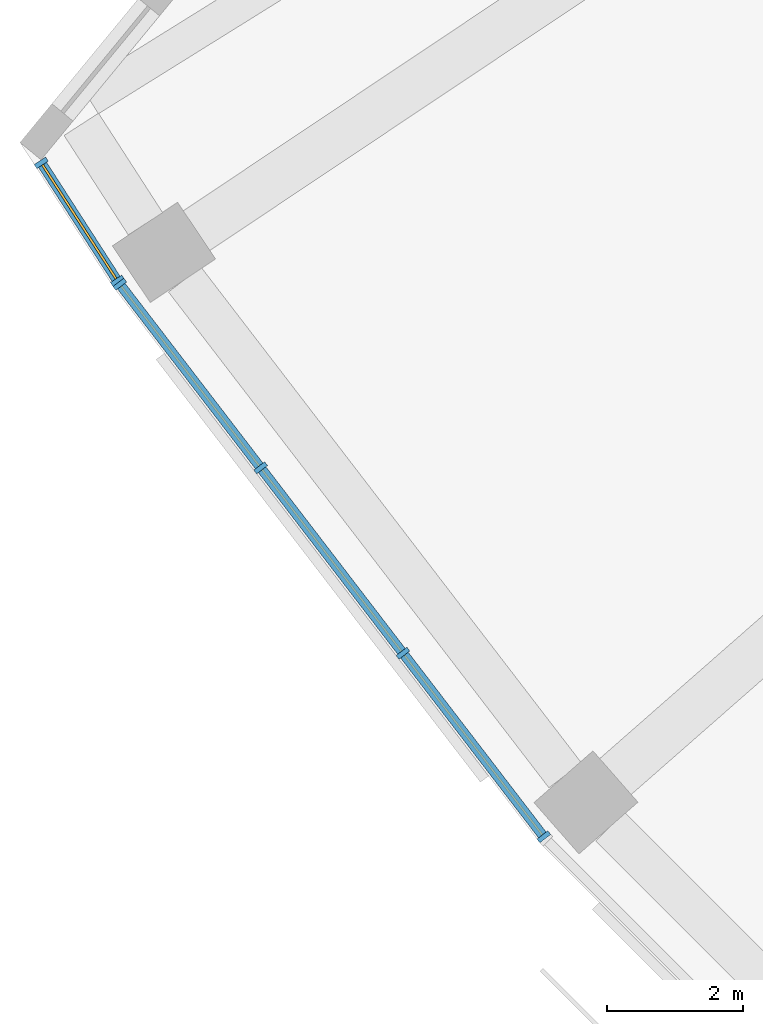
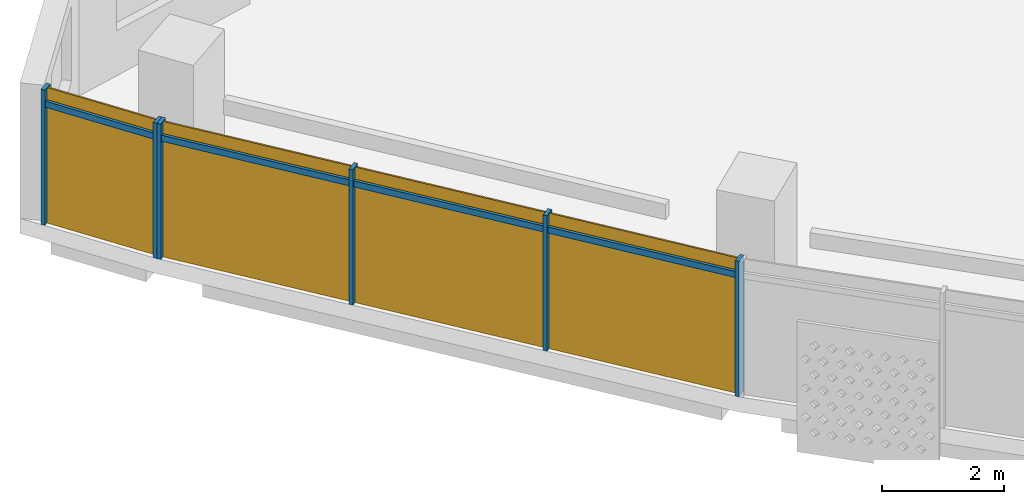
# One storey, part 19 of 27: 10 members, 2 curtain walls.
"""IFC4 building model written with IfcOpenShell, lengths in metres."""

from ifc_helpers import new_model, si_unit, direction, frame, origin, origin_2d, place, context, subcontext, project, spatial, rectangle, extrude, material, material_profile, profile_set, type_object, element, aggregate, save


model = new_model("IFC4")

# Units and contexts
model_context = context("Model", 3, precision=1e-05, world=origin(), true_north=direction((0.0, 1.0)))
body_context = subcontext(model_context, "Body", "Model", "MODEL_VIEW")
ifc_project = project(units=[si_unit("LENGTHUNIT", "METRE"), si_unit("AREAUNIT", "SQUARE_METRE"), si_unit("VOLUMEUNIT", "CUBIC_METRE"), si_unit("PLANEANGLEUNIT", "RADIAN"), si_unit("MASSUNIT", "GRAM", prefix="KILO")], contexts=[model_context])

# Member
ifc_material = material(Name="Aluminium 6063-T6 anodised", Category="aluminium")
ifc_material_profile_1 = material_profile(ifc_material, rectangle(XDim=0.199951171875, YDim=0.070068359375, at=origin_2d()))
ifc_profile_set_1 = profile_set([ifc_material_profile_1], Name="Aluminium 6063-T6 anodised")
member_type_1 = type_object("IfcMemberType", Name="Mullion 70 x 200 aluminium", PredefinedType="MULLION", material=ifc_profile_set_1)
site_placement = place(None, origin())
building_placement = place(site_placement, origin())
storey_placement = place(building_placement, frame((0.0, 0.0, 222.699951171875)))
member_1_placement = place(storey_placement, frame((-66.44677734375, -41.88134765625, 0.0), z_axis=(0.0, 0.0, 1.0), x_axis=(0.840244709552, 0.5422073663, 0.0)))
member_1 = element("IfcMember", 1, at=member_1_placement, type_object=member_type_1, Name="e-cw1-L53-out00/M00", PredefinedType="MULLION", context=body_context, shape_type="SweptSolid", body=[
    extrude(rectangle(XDim=0.199951171875, YDim=0.070068359375, at=origin_2d()), origin(), (0.0, 0.0, 1.0), 2.699951171875),
])

member_2_placement = place(storey_placement, frame((-65.330078125, -43.612060546875, 0.0), z_axis=(0.0, 0.0, 1.0), x_axis=(0.840244709552, 0.5422073663, 0.0)))
member_2 = element("IfcMember", 2, at=member_2_placement, type_object=member_type_1, Name="e-cw1-L53-out00/M01", PredefinedType="MULLION", context=body_context, shape_type="SweptSolid", body=[
    extrude(rectangle(XDim=0.199951171875, YDim=0.070068359375, at=origin_2d()), origin(), (0.0, 0.0, 1.0), 2.699951171875),
])

member_3_placement = place(storey_placement, frame((-65.29443359375, -43.66259765625, 0.0), z_axis=(0.0, 0.0, 1.0), x_axis=(0.793353340291, 0.608761429009, 0.0)))
member_3 = element("IfcMember", 3, at=member_3_placement, type_object=member_type_1, Name="e-cw1-L53-out01/M00", PredefinedType="MULLION", context=body_context, shape_type="SweptSolid", body=[
    extrude(rectangle(XDim=0.199951171875, YDim=0.070068359375, at=origin_2d()), origin(), (0.0, 0.0, 1.0), 2.699951171875),
])

member_4_placement = place(storey_placement, frame((-63.22802734375, -46.35546875, 0.0), z_axis=(0.0, 0.0, 1.0), x_axis=(0.793353340291, 0.608761429009, 0.0)))
member_4 = element("IfcMember", 4, at=member_4_placement, type_object=member_type_1, Name="e-cw1-L53-out01/M01", PredefinedType="MULLION", context=body_context, shape_type="SweptSolid", body=[
    extrude(rectangle(XDim=0.199951171875, YDim=0.070068359375, at=origin_2d()), origin(), (0.0, 0.0, 1.0), 2.699951171875),
])

member_5_placement = place(storey_placement, frame((-61.140380859375, -49.075927734375, 0.0), z_axis=(0.0, 0.0, 1.0), x_axis=(0.793353340291, 0.608761429009, 0.0)))
member_5 = element("IfcMember", 5, at=member_5_placement, type_object=member_type_1, Name="e-cw1-L53-out01/M02", PredefinedType="MULLION", context=body_context, shape_type="SweptSolid", body=[
    extrude(rectangle(XDim=0.199951171875, YDim=0.070068359375, at=origin_2d()), origin(), (0.0, 0.0, 1.0), 2.699951171875),
])

member_6_placement = place(storey_placement, frame((-59.07421875, -51.768798828125, 0.0), z_axis=(0.0, 0.0, 1.0), x_axis=(0.793353340291, 0.608761429009, 0.0)))
member_6 = element("IfcMember", 6, at=member_6_placement, type_object=member_type_1, Name="e-cw1-L53-out01/M03", PredefinedType="MULLION", context=body_context, shape_type="SweptSolid", body=[
    extrude(rectangle(XDim=0.199951171875, YDim=0.070068359375, at=origin_2d()), origin(), (0.0, 0.0, 1.0), 2.699951171875),
])

ifc_material_profile_2 = material_profile(ifc_material, rectangle(XDim=0.139892578125, YDim=0.1201171875, at=origin_2d()))
ifc_profile_set_2 = profile_set([ifc_material_profile_2], Name="Aluminium 6063-T6 anodised")
member_type_2 = type_object("IfcMemberType", Name="Transom 120 x 140 aluminium", PredefinedType="USERDEFINED", material=ifc_profile_set_2)
member_7_placement = place(storey_placement, frame((-66.427734375, -41.910888671875, 2.400146484375), z_axis=(0.542177183169, -0.840264185867, 0.0), x_axis=(0.840264185867, 0.542177183169, 0.0)))
member_7 = element("IfcMember", 7, at=member_7_placement, type_object=member_type_2, Name="e-cw1-L53-out00/T00", ObjectType="TRANSOM", PredefinedType="USERDEFINED", context=body_context, shape_type="SweptSolid", body=[
    extrude(rectangle(XDim=0.139892578125, YDim=0.1201171875, at=origin_2d()), origin(), (0.0, 0.0, 1.0), 1.989501953125),
])

member_8_placement = place(storey_placement, frame((-65.273193359375, -43.690185546875, 2.400146484375), z_axis=(0.608741393132, -0.793368713958, 0.0), x_axis=(0.793368713958, 0.608741393132, 0.0)))
member_8 = element("IfcMember", 8, at=member_8_placement, type_object=member_type_2, Name="e-cw1-L53-out01/T00", ObjectType="TRANSOM", PredefinedType="USERDEFINED", context=body_context, shape_type="SweptSolid", body=[
    extrude(rectangle(XDim=0.139892578125, YDim=0.1201171875, at=origin_2d()), origin(), (0.0, 0.0, 1.0), 3.324462890625),
])

member_9_placement = place(storey_placement, frame((-63.206787109375, -46.383056640625, 2.400146484375), z_axis=(0.608719861247, -0.793385234627, 0.0), x_axis=(0.793385234627, 0.608719861247, 0.0)))
member_9 = element("IfcMember", 9, at=member_9_placement, type_object=member_type_2, Name="e-cw1-L53-out01/T01", ObjectType="TRANSOM", PredefinedType="USERDEFINED", context=body_context, shape_type="SweptSolid", body=[
    extrude(rectangle(XDim=0.139892578125, YDim=0.1201171875, at=origin_2d()), origin(), (0.0, 0.0, 1.0), 3.359375),
])

member_10_placement = place(storey_placement, frame((-61.119140625, -49.103759765625, 2.400146484375), z_axis=(0.608741393132, -0.793368713958, 0.0), x_axis=(0.793368713958, 0.608741393132, 0.0)))
member_10 = element("IfcMember", 10, at=member_10_placement, type_object=member_type_2, Name="e-cw1-L53-out01/T02", ObjectType="TRANSOM", PredefinedType="USERDEFINED", context=body_context, shape_type="SweptSolid", body=[
    extrude(rectangle(XDim=0.139892578125, YDim=0.1201171875, at=origin_2d()), origin(), (0.0, 0.0, 1.0), 3.324462890625),
])

# Site, building, storey
site = spatial("IfcSite", under=ifc_project, at=site_placement, CompositionType="ELEMENT")
building = spatial("IfcBuilding", under=site, at=building_placement, Name="Qamariyya Broadcast Tower", CompositionType="ELEMENT")
storey = spatial("IfcBuildingStorey", under=building, at=storey_placement, Name="L53", CompositionType="ELEMENT", Elevation=222.699951171875)

# Curtain wall
curtain_wall_type = type_object("IfcCurtainWallType", Name="Unitised curtain wall, anodised aluminium", PredefinedType="NOTDEFINED", material=ifc_material)
curtain_wall_1_placement = place(storey_placement, origin())
curtain_wall_1 = element("IfcCurtainWall", 11, at=curtain_wall_1_placement, inside=storey, type_object=curtain_wall_type, Name="e-cw1-L53-out00", PredefinedType="NOTDEFINED", context=body_context, shape_type="SweptSolid", body=[
    extrude(rectangle(XDim=1.989501953125, YDim=0.031982421875, at=origin_2d()), frame((-65.888427734375, -42.74658203125, 0.0), x_axis=(0.542257425623, -0.84021240431, 0.0)), (0.0, 0.0, 1.0), 2.340087890625),
    extrude(rectangle(XDim=1.989501953125, YDim=0.031982421875, at=origin_2d()), frame((-65.888427734375, -42.74658203125, 2.4599609375), x_axis=(0.542257425623, -0.84021240431, 0.0)), (0.0, 0.0, 1.0), 0.239990234375),
])

aggregate(curtain_wall_1, [member_1, member_2, member_7])

curtain_wall_2_placement = place(storey_placement, origin())
curtain_wall_2 = element("IfcCurtainWall", 12, at=curtain_wall_2_placement, inside=storey, type_object=curtain_wall_type, Name="e-cw1-L53-out01", PredefinedType="NOTDEFINED", context=body_context, shape_type="SweptSolid", body=[
    extrude(rectangle(XDim=3.32421875, YDim=0.031982421875, at=origin_2d()), frame((-64.26123046875, -45.009033203125, 0.0), x_axis=(0.608753833159, -0.793359168734, 0.0)), (0.0, 0.0, 1.0), 2.340087890625),
    extrude(rectangle(XDim=3.32421875, YDim=0.031982421875, at=origin_2d()), frame((-64.26123046875, -45.009033203125, 2.4599609375), x_axis=(0.608753833159, -0.793359168734, 0.0)), (0.0, 0.0, 1.0), 0.239990234375),
    extrude(rectangle(XDim=3.359130859375, YDim=0.031982421875, at=origin_2d()), frame((-62.184326171875, -47.7158203125, 0.0), x_axis=(0.608753833159, -0.793359168734, 0.0)), (0.0, 0.0, 1.0), 2.340087890625),
    extrude(rectangle(XDim=3.359130859375, YDim=0.031982421875, at=origin_2d()), frame((-62.184326171875, -47.7158203125, 2.4599609375), x_axis=(0.608753833159, -0.793359168734, 0.0)), (0.0, 0.0, 1.0), 0.239990234375),
    extrude(rectangle(XDim=3.32421875, YDim=0.031982421875, at=origin_2d()), frame((-60.107421875, -50.42236328125, 0.0), x_axis=(0.608753833159, -0.793359168734, 0.0)), (0.0, 0.0, 1.0), 2.340087890625),
    extrude(rectangle(XDim=3.32421875, YDim=0.031982421875, at=origin_2d()), frame((-60.107421875, -50.42236328125, 2.4599609375), x_axis=(0.608753833159, -0.793359168734, 0.0)), (0.0, 0.0, 1.0), 0.239990234375),
])

aggregate(curtain_wall_2, [member_3, member_4, member_5, member_6, member_8, member_9, member_10])

save(model, "model.ifc")
